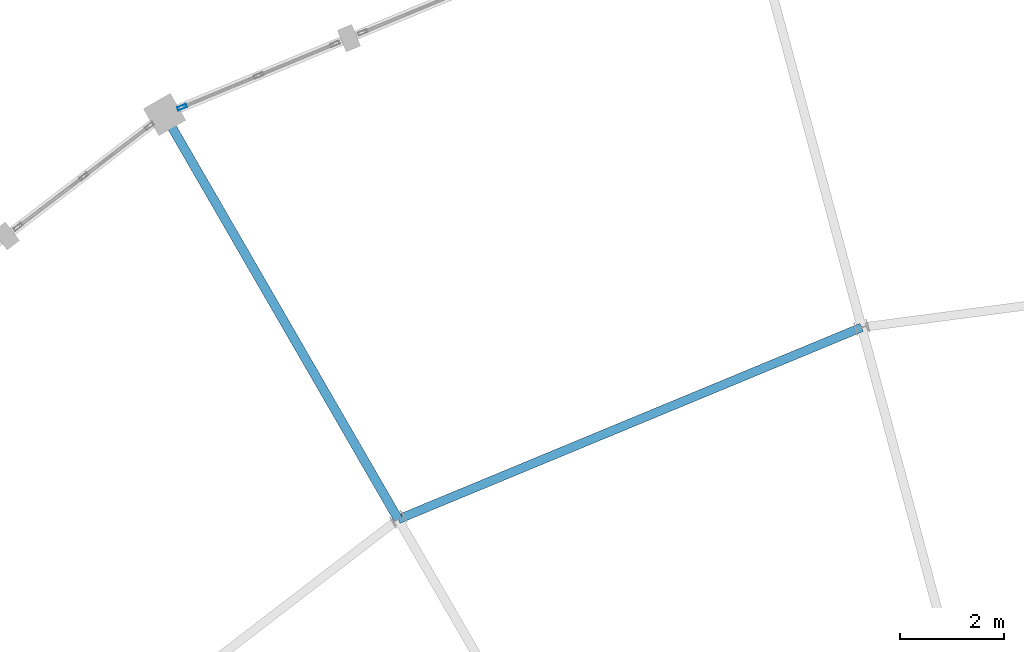
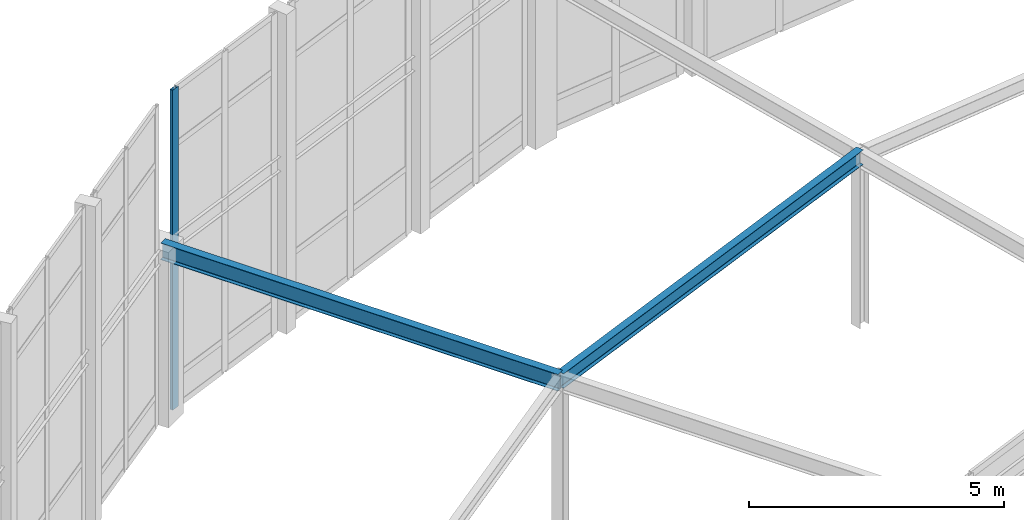
# One storey, part 46 of 93: 2 beams, 1 member, 1 element without a shape of its own.
"""IFC4 building model written with IfcOpenShell, lengths in metres."""

from ifc_helpers import new_model, si_unit, direction, frame, origin, origin_2d, place, context, subcontext, project, spatial, hollow_rectangle, i_section, extrude, material, material_profile, profile_set, type_object, element, aggregate, save


model = new_model("IFC4")

# Units and contexts
model_context = context("Model", 3, precision=1e-05, world=origin(), true_north=direction((0.0, 1.0)))
body_context = subcontext(model_context, "Body", "Model", "MODEL_VIEW")
ifc_project = project(units=[si_unit("LENGTHUNIT", "METRE"), si_unit("AREAUNIT", "SQUARE_METRE"), si_unit("VOLUMEUNIT", "CUBIC_METRE"), si_unit("PLANEANGLEUNIT", "RADIAN"), si_unit("MASSUNIT", "GRAM", prefix="KILO")], contexts=[model_context])

# Site, building, storey
site_placement = place(None, origin())
site = spatial("IfcSite", under=ifc_project, at=site_placement, CompositionType="ELEMENT")
building_placement = place(site_placement, origin())
building = spatial("IfcBuilding", under=site, at=building_placement, Name="Vondelvale Polytechnic", CompositionType="ELEMENT")
storey_placement = place(building_placement, frame((0.0, 0.0, 18.0)))
storey = spatial("IfcBuildingStorey", under=building, at=storey_placement, Name="L04", CompositionType="ELEMENT", Elevation=18.0)

# Beams
ifc_material_1 = material(Name="Steel 300PLUS (fy = 300 MPa)", Category="steel")
ifc_material_profile_1 = material_profile(ifc_material_1, i_section(OverallWidth=0.1708984375, OverallDepth=0.35205078125, WebThickness=0.0068359375, FlangeThickness=0.009765625, FilletRadius=0.011474609375, at=origin_2d()), Name="360UB44.7")
ifc_profile_set_1 = profile_set([ifc_material_profile_1], Name="Steel 300PLUS (fy = 300 MPa)")
beam_type_1 = type_object("IfcBeamType", Name="BM-UB360L", PredefinedType="BEAM", material=ifc_profile_set_1)
beam_1_placement = place(storey_placement, frame((92.423583984375, 107.7392578125, 4.02392578125), z_axis=(-0.923878816854, -0.38268516011, 0.0), x_axis=(0.38268516011, -0.923878816854, 0.0)))
element("IfcBeam", 1, at=beam_1_placement, inside=storey, type_object=beam_type_1, Name="L04 RE B-24", PredefinedType="BEAM", context=body_context, shape_type="SweptSolid", body=[
    extrude(i_section(OverallWidth=0.1708984375, OverallDepth=0.35205078125, WebThickness=0.0068359375, FlangeThickness=0.009765625, FilletRadius=0.011474609375, at=origin_2d()), origin(), (0.0, 0.0, 1.0), 9.658935546875),
])
ifc_material_profile_2 = material_profile(ifc_material_1, i_section(OverallWidth=0.177978515625, OverallDepth=0.403076171875, WebThickness=0.007568359375, FlangeThickness=0.010986328125, FilletRadius=0.011474609375, at=origin_2d()), Name="410UB53.7")
ifc_profile_set_2 = profile_set([ifc_material_profile_2], Name="Steel 300PLUS (fy = 300 MPa)")
beam_type_2 = type_object("IfcBeamType", Name="BM-UB410L", PredefinedType="BEAM", material=ifc_profile_set_2)
beam_2_placement = place(storey_placement, frame((83.5, 104.04296875, 3.99853515625), z_axis=(-0.5000018851, 0.866024315419, 0.0), x_axis=(-0.866024315419, -0.5000018851, 0.0)))
element("IfcBeam", 2, at=beam_2_placement, inside=storey, type_object=beam_type_2, Name="L04 REG B-23", PredefinedType="BEAM", context=body_context, shape_type="SweptSolid", body=[
    extrude(i_section(OverallWidth=0.177978515625, OverallDepth=0.403076171875, WebThickness=0.007568359375, FlangeThickness=0.010986328125, FilletRadius=0.011474609375, at=origin_2d()), origin(), (0.0, 0.0, 1.0), 9.0),
])

# Curtain wall, member
ifc_material_2 = material(Name="Glulam GL18 structural Tasmanian oak (fb = 42 MPa)", Category="wood")
curtain_wall_type = type_object("IfcCurtainWallType", Name="CW-RING-OUTER", PredefinedType="NOTDEFINED", material=ifc_material_2)
curtain_wall_placement = place(storey_placement, origin())
curtain_wall = element("IfcCurtainWall", 3, at=curtain_wall_placement, inside=storey, type_object=curtain_wall_type, Name="L04 architectural curtain wall CW-04-190", PredefinedType="NOTDEFINED")
ifc_material_3 = material(Name="Anodised extruded aluminium 6063-T6", Category="aluminium")
ifc_material_profile_3 = material_profile(ifc_material_3, hollow_rectangle(XDim=0.06494140625, YDim=0.179931640625, WallThickness=0.00390625, at=origin_2d()), Name="CW-MUL-180x65")
ifc_profile_set_3 = profile_set([ifc_material_profile_3], Name="Anodised extruded aluminium 6063-T6")
member_type = type_object("IfcMemberType", Name="CW-MUL-65x180", PredefinedType="MULLION", material=ifc_profile_set_3)
member_placement = place(storey_placement, frame((79.33740234375, 111.97705078125, 0.0), z_axis=(0.0, 0.0, 1.0), x_axis=(0.382677394529, -0.923882033442, 0.0)))
member = element("IfcMember", 4, at=member_placement, type_object=member_type, Name="CW-04-190 mullion 3", PredefinedType="MULLION", context=body_context, shape_type="SweptSolid", body=[
    extrude(hollow_rectangle(XDim=0.06494140625, YDim=0.179931640625, WallThickness=0.00390625, at=origin_2d()), origin(), (0.0, 0.0, 1.0), 7.661376953125),
])
aggregate(curtain_wall, [member])

save(model, "model.ifc")
